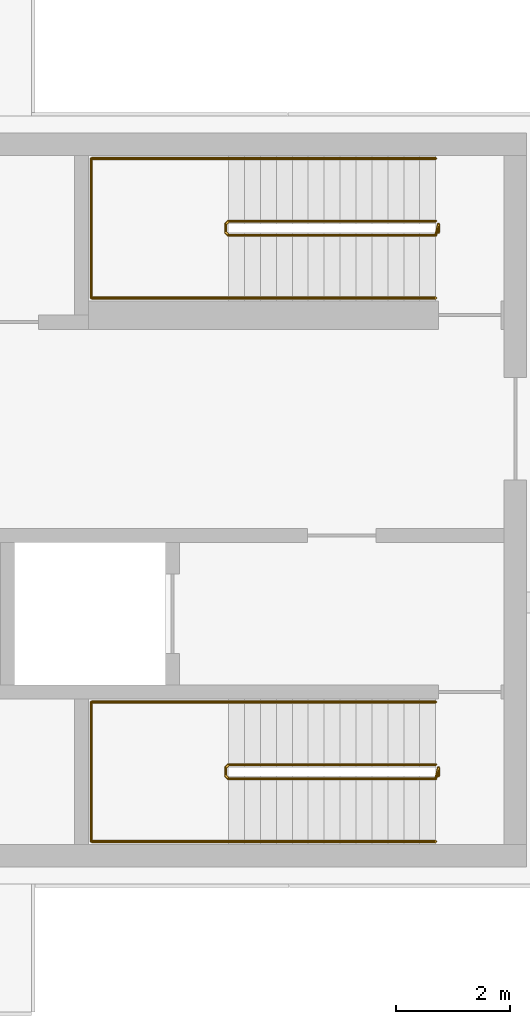
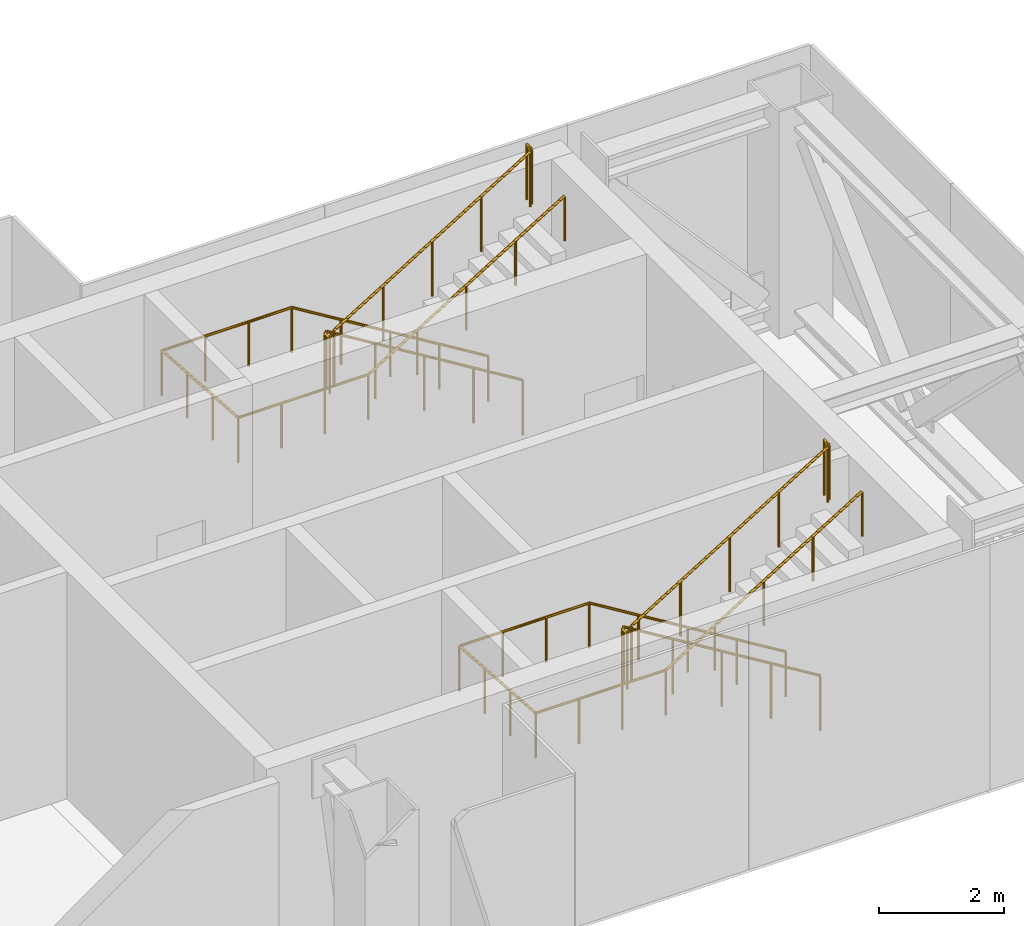
# One storey, part 18 of 18: 4 railings.
"""IFC4 building model written with IfcOpenShell, lengths in metres."""

from ifc_helpers import new_model, si_unit, direction, frame, origin, origin_2d, place, context, subcontext, project, spatial, circle, extrude, material, type_object, element, save


model = new_model("IFC4")

# Units and contexts
model_context = context("Model", 3, precision=1e-05, world=origin(), true_north=direction((0.0, 1.0)))
body_context = subcontext(model_context, "Body", "Model", "MODEL_VIEW")
ifc_project = project(units=[si_unit("LENGTHUNIT", "METRE"), si_unit("AREAUNIT", "SQUARE_METRE"), si_unit("VOLUMEUNIT", "CUBIC_METRE"), si_unit("PLANEANGLEUNIT", "RADIAN"), si_unit("MASSUNIT", "GRAM", prefix="KILO")], contexts=[model_context])

# Site, building, storey
site_placement = place(None, origin())
site = spatial("IfcSite", under=ifc_project, at=site_placement, CompositionType="ELEMENT")
building_placement = place(site_placement, origin())
building = spatial("IfcBuilding", under=site, at=building_placement, Name="Shamsa Quay Exchange Towers", CompositionType="ELEMENT")
storey_placement = place(building_placement, frame((0.0, 0.0, 225.60009765625)))
storey = spatial("IfcBuildingStorey", under=building, at=storey_placement, Name="L54", CompositionType="ELEMENT", Elevation=225.60009765625)

# Railings
ifc_material = material(Name="Stainless steel", Category="steel")
railing_type_1 = type_object("IfcRailingType", Name="STAIR GUARD 1100", PredefinedType="GUARDRAIL", material=ifc_material)
railing_1_placement = place(storey_placement, frame((52.10009765625, -4.64990234375, 0.17138671875)))
element("IfcRailing", 1, at=railing_1_placement, inside=storey, type_object=railing_type_1, Name="L54 ST5 stair guard 1", PredefinedType="GUARDRAIL", context=body_context, shape_type="SweptSolid", body=[
    extrude(circle(Radius=0.02392578125, at=origin_2d()), frame((0.0, 0.0, 1.076171875), z_axis=(-0.852865859571, 0.0, 0.52213008492), x_axis=(0.0, -1.0, 0.0)), (0.0, 0.0, 1.0), 4.26806640625),
    extrude(circle(Radius=0.02392578125, at=origin_2d()), frame((-3.64013671875, 0.0, 3.3046875), z_axis=(-0.707106781187, -0.707106781187, 0.0), x_axis=(0.707106781187, -0.707106781187, 0.0)), (0.0, 0.0, 1.0), 0.07080078125),
    extrude(circle(Radius=0.02392578125, at=origin_2d()), frame((-3.690185546875, -0.050048828125, 3.3046875), z_axis=(0.0, -1.0, 0.0), x_axis=(1.0, 0.0, 0.0)), (0.0, 0.0, 1.0), 0.150146484375),
    extrude(circle(Radius=0.02392578125, at=origin_2d()), frame((-3.690185546875, -0.2001953125, 3.3046875), z_axis=(0.270006937388, -0.268689830376, 0.924609122178), x_axis=(0.705375805398, 0.708833529934, 0.0)), (0.0, 0.0, 1.0), 0.185302734375),
    extrude(circle(Radius=0.02392578125, at=origin_2d()), frame((-3.64013671875, -0.25, 3.47607421875), z_axis=(0.852865859571, 0.0, 0.52213008492), x_axis=(0.0, 1.0, 0.0)), (0.0, 0.0, 1.0), 4.26806640625),
    extrude(circle(Radius=0.02392578125, at=origin_2d()), frame((0.0, -0.25, 5.70458984375), z_axis=(0.241699205484, 0.970351222016, 0.0), x_axis=(-0.970351222016, 0.241699205484, 0.0)), (0.0, 0.0, 1.0), 0.2060546875),
    extrude(circle(Radius=0.02392578125, at=origin_2d()), frame((0.0498046875, -0.050048828125, 5.70458984375), z_axis=(0.0, -1.0, 0.0), x_axis=(1.0, 0.0, 0.0)), (0.0, 0.0, 1.0), 0.150146484375),
    extrude(circle(Radius=0.02099609375, at=origin_2d()), origin(), (0.0, 0.0, 1.0), 1.052001953125),
    extrude(circle(Radius=0.02099609375, at=origin_2d()), frame((-0.91015625, 0.0, 0.55712890625)), (0.0, 0.0, 1.0), 1.052001953125),
    extrude(circle(Radius=0.02099609375, at=origin_2d()), frame((-1.820068359375, 0.0, 1.1142578125)), (0.0, 0.0, 1.0), 1.052001953125),
    extrude(circle(Radius=0.02099609375, at=origin_2d()), frame((-2.72998046875, 0.0, 1.67138671875)), (0.0, 0.0, 1.0), 1.052001953125),
    extrude(circle(Radius=0.02099609375, at=origin_2d()), frame((-3.64013671875, 0.0, 2.228515625)), (0.0, 0.0, 1.0), 1.052001953125),
    extrude(circle(Radius=0.02099609375, at=origin_2d()), frame((-3.690185546875, -0.050048828125, 2.228515625)), (0.0, 0.0, 1.0), 1.052001953125),
    extrude(circle(Radius=0.02099609375, at=origin_2d()), frame((-3.690185546875, -0.2001953125, 2.228515625)), (0.0, 0.0, 1.0), 1.052001953125),
    extrude(circle(Radius=0.02099609375, at=origin_2d()), frame((-3.64013671875, -0.25, 2.39990234375)), (0.0, 0.0, 1.0), 1.052001953125),
    extrude(circle(Radius=0.02099609375, at=origin_2d()), frame((-2.72998046875, -0.25, 2.95703125)), (0.0, 0.0, 1.0), 1.052001953125),
    extrude(circle(Radius=0.02099609375, at=origin_2d()), frame((-1.820068359375, -0.25, 3.51416015625)), (0.0, 0.0, 1.0), 1.052001953125),
    extrude(circle(Radius=0.02099609375, at=origin_2d()), frame((-0.91015625, -0.25, 4.0712890625)), (0.0, 0.0, 1.0), 1.052001953125),
    extrude(circle(Radius=0.02099609375, at=origin_2d()), frame((0.0, -0.25, 4.62841796875)), (0.0, 0.0, 1.0), 1.052001953125),
    extrude(circle(Radius=0.02099609375, at=origin_2d()), frame((0.0498046875, -0.050048828125, 4.62841796875)), (0.0, 0.0, 1.0), 1.052001953125),
    extrude(circle(Radius=0.02099609375, at=origin_2d()), frame((0.0498046875, -0.2001953125, 4.62841796875)), (0.0, 0.0, 1.0), 1.052001953125),
])
railing_2_placement = place(storey_placement, frame((52.10009765625, 4.89990234375, 0.17138671875)))
element("IfcRailing", 2, at=railing_2_placement, inside=storey, type_object=railing_type_1, Name="L54 ST6 stair guard 1", PredefinedType="GUARDRAIL", context=body_context, shape_type="SweptSolid", body=[
    extrude(circle(Radius=0.02392578125, at=origin_2d()), frame((0.0, 0.0, 1.076171875), z_axis=(-0.852865859571, 0.0, 0.52213008492), x_axis=(0.0, -1.0, 0.0)), (0.0, 0.0, 1.0), 4.26806640625),
    extrude(circle(Radius=0.02392578125, at=origin_2d()), frame((-3.64013671875, 0.0, 3.3046875), z_axis=(-0.708833529934, -0.705375805398, 0.0), x_axis=(0.705375805398, -0.708833529934, 0.0)), (0.0, 0.0, 1.0), 0.070556640625),
    extrude(circle(Radius=0.02392578125, at=origin_2d()), frame((-3.690185546875, -0.0498046875, 3.3046875), z_axis=(0.0, -1.0, 0.0), x_axis=(1.0, 0.0, 0.0)), (0.0, 0.0, 1.0), 0.150146484375),
    extrude(circle(Radius=0.02392578125, at=origin_2d()), frame((-3.690185546875, -0.199951171875, 3.3046875), z_axis=(0.269911200495, -0.269911200495, 0.924281281696), x_axis=(0.707106781187, 0.707106781187, 0.0)), (0.0, 0.0, 1.0), 0.185546875),
    extrude(circle(Radius=0.02392578125, at=origin_2d()), frame((-3.64013671875, -0.25, 3.47607421875), z_axis=(0.852865859571, 0.0, 0.52213008492), x_axis=(0.0, 1.0, 0.0)), (0.0, 0.0, 1.0), 4.26806640625),
    extrude(circle(Radius=0.02392578125, at=origin_2d()), frame((0.0, -0.25, 5.70458984375), z_axis=(0.24142163986, 0.970420317083, 0.0), x_axis=(-0.970420317083, 0.24142163986, 0.0)), (0.0, 0.0, 1.0), 0.206298828125),
    extrude(circle(Radius=0.02392578125, at=origin_2d()), frame((0.0498046875, -0.0498046875, 5.70458984375), z_axis=(0.0, -1.0, 0.0), x_axis=(1.0, 0.0, 0.0)), (0.0, 0.0, 1.0), 0.150146484375),
    extrude(circle(Radius=0.02099609375, at=origin_2d()), origin(), (0.0, 0.0, 1.0), 1.052001953125),
    extrude(circle(Radius=0.02099609375, at=origin_2d()), frame((-0.91015625, 0.0, 0.55712890625)), (0.0, 0.0, 1.0), 1.052001953125),
    extrude(circle(Radius=0.02099609375, at=origin_2d()), frame((-1.820068359375, 0.0, 1.1142578125)), (0.0, 0.0, 1.0), 1.052001953125),
    extrude(circle(Radius=0.02099609375, at=origin_2d()), frame((-2.72998046875, 0.0, 1.67138671875)), (0.0, 0.0, 1.0), 1.052001953125),
    extrude(circle(Radius=0.02099609375, at=origin_2d()), frame((-3.64013671875, 0.0, 2.228515625)), (0.0, 0.0, 1.0), 1.052001953125),
    extrude(circle(Radius=0.02099609375, at=origin_2d()), frame((-3.690185546875, -0.0498046875, 2.228515625)), (0.0, 0.0, 1.0), 1.052001953125),
    extrude(circle(Radius=0.02099609375, at=origin_2d()), frame((-3.690185546875, -0.199951171875, 2.228515625)), (0.0, 0.0, 1.0), 1.052001953125),
    extrude(circle(Radius=0.02099609375, at=origin_2d()), frame((-3.64013671875, -0.25, 2.39990234375)), (0.0, 0.0, 1.0), 1.052001953125),
    extrude(circle(Radius=0.02099609375, at=origin_2d()), frame((-2.72998046875, -0.25, 2.95703125)), (0.0, 0.0, 1.0), 1.052001953125),
    extrude(circle(Radius=0.02099609375, at=origin_2d()), frame((-1.820068359375, -0.25, 3.51416015625)), (0.0, 0.0, 1.0), 1.052001953125),
    extrude(circle(Radius=0.02099609375, at=origin_2d()), frame((-0.91015625, -0.25, 4.0712890625)), (0.0, 0.0, 1.0), 1.052001953125),
    extrude(circle(Radius=0.02099609375, at=origin_2d()), frame((0.0, -0.25, 4.62841796875)), (0.0, 0.0, 1.0), 1.052001953125),
    extrude(circle(Radius=0.02099609375, at=origin_2d()), frame((0.0498046875, -0.0498046875, 4.62841796875)), (0.0, 0.0, 1.0), 1.052001953125),
    extrude(circle(Radius=0.02099609375, at=origin_2d()), frame((0.0498046875, -0.199951171875, 4.62841796875)), (0.0, 0.0, 1.0), 1.052001953125),
])
railing_type_2 = type_object("IfcRailingType", Name="STAIR HANDRAIL 900", PredefinedType="HANDRAIL", material=ifc_material)
railing_3_placement = place(storey_placement, frame((52.10009765625, -3.550048828125, 0.17138671875)))
element("IfcRailing", 3, at=railing_3_placement, inside=storey, type_object=railing_type_2, Name="L54 ST5 stair handrail 1", PredefinedType="HANDRAIL", context=body_context, shape_type="SweptSolid", body=[
    extrude(circle(Radius=0.02392578125, at=origin_2d()), frame((0.0, 0.0, 0.8759765625), z_axis=(-0.852865859571, 0.0, 0.52213008492), x_axis=(0.0, -1.0, 0.0)), (0.0, 0.0, 1.0), 4.26806640625),
    extrude(circle(Radius=0.02392578125, at=origin_2d()), frame((-3.64013671875, 0.0, 3.1044921875), z_axis=(-1.0, 0.0, 0.0), x_axis=(0.0, -1.0, 0.0)), (0.0, 0.0, 1.0), 2.409912109375),
    extrude(circle(Radius=0.02392578125, at=origin_2d()), frame((-6.050048828125, 0.0, 3.1044921875), z_axis=(0.0, -0.99756208224, 0.069784612031), x_axis=(1.0, 0.0, 0.0)), (0.0, 0.0, 1.0), 2.4560546875),
    extrude(circle(Radius=0.02392578125, at=origin_2d()), frame((-6.050048828125, -2.449951171875, 3.27587890625), z_axis=(1.0, 0.0, 0.0), x_axis=(0.0, 1.0, 0.0)), (0.0, 0.0, 1.0), 2.409912109375),
    extrude(circle(Radius=0.02392578125, at=origin_2d()), frame((-3.64013671875, -2.449951171875, 3.27587890625), z_axis=(0.852865859571, 0.0, 0.52213008492), x_axis=(0.0, 1.0, 0.0)), (0.0, 0.0, 1.0), 4.26806640625),
    extrude(circle(Radius=0.02099609375, at=origin_2d()), origin(), (0.0, 0.0, 1.0), 0.851806640625),
    extrude(circle(Radius=0.02099609375, at=origin_2d()), frame((-0.91015625, 0.0, 0.55712890625)), (0.0, 0.0, 1.0), 0.851806640625),
    extrude(circle(Radius=0.02099609375, at=origin_2d()), frame((-1.820068359375, 0.0, 1.1142578125)), (0.0, 0.0, 1.0), 0.851806640625),
    extrude(circle(Radius=0.02099609375, at=origin_2d()), frame((-2.72998046875, 0.0, 1.67138671875)), (0.0, 0.0, 1.0), 0.851806640625),
    extrude(circle(Radius=0.02099609375, at=origin_2d()), frame((-3.64013671875, 0.0, 2.228515625)), (0.0, 0.0, 1.0), 0.851806640625),
    extrude(circle(Radius=0.02099609375, at=origin_2d()), frame((-4.443359375, 0.0, 2.228515625)), (0.0, 0.0, 1.0), 0.851806640625),
    extrude(circle(Radius=0.02099609375, at=origin_2d()), frame((-5.246826171875, 0.0, 2.228515625)), (0.0, 0.0, 1.0), 0.851806640625),
    extrude(circle(Radius=0.02099609375, at=origin_2d()), frame((-6.050048828125, 0.0, 2.228515625)), (0.0, 0.0, 1.0), 0.851806640625),
    extrude(circle(Radius=0.02099609375, at=origin_2d()), frame((-6.050048828125, -0.816650390625, 2.28564453125)), (0.0, 0.0, 1.0), 0.851806640625),
    extrude(circle(Radius=0.02099609375, at=origin_2d()), frame((-6.050048828125, -1.63330078125, 2.3427734375)), (0.0, 0.0, 1.0), 0.851806640625),
    extrude(circle(Radius=0.02099609375, at=origin_2d()), frame((-6.050048828125, -2.449951171875, 2.39990234375)), (0.0, 0.0, 1.0), 0.851806640625),
    extrude(circle(Radius=0.02099609375, at=origin_2d()), frame((-5.246826171875, -2.449951171875, 2.39990234375)), (0.0, 0.0, 1.0), 0.851806640625),
    extrude(circle(Radius=0.02099609375, at=origin_2d()), frame((-4.443359375, -2.449951171875, 2.39990234375)), (0.0, 0.0, 1.0), 0.851806640625),
    extrude(circle(Radius=0.02099609375, at=origin_2d()), frame((-3.64013671875, -2.449951171875, 2.39990234375)), (0.0, 0.0, 1.0), 0.851806640625),
    extrude(circle(Radius=0.02099609375, at=origin_2d()), frame((-2.72998046875, -2.449951171875, 2.95703125)), (0.0, 0.0, 1.0), 0.851806640625),
    extrude(circle(Radius=0.02099609375, at=origin_2d()), frame((-1.820068359375, -2.449951171875, 3.51416015625)), (0.0, 0.0, 1.0), 0.851806640625),
    extrude(circle(Radius=0.02099609375, at=origin_2d()), frame((-0.91015625, -2.449951171875, 4.0712890625)), (0.0, 0.0, 1.0), 0.851806640625),
    extrude(circle(Radius=0.02099609375, at=origin_2d()), frame((0.0, -2.449951171875, 4.62841796875)), (0.0, 0.0, 1.0), 0.851806640625),
])
railing_4_placement = place(storey_placement, frame((52.10009765625, 6.0, 0.17138671875)))
element("IfcRailing", 4, at=railing_4_placement, inside=storey, type_object=railing_type_2, Name="L54 ST6 stair handrail 1", PredefinedType="HANDRAIL", context=body_context, shape_type="SweptSolid", body=[
    extrude(circle(Radius=0.02392578125, at=origin_2d()), frame((0.0, 0.0, 0.8759765625), z_axis=(-0.852865859571, 0.0, 0.52213008492), x_axis=(0.0, -1.0, 0.0)), (0.0, 0.0, 1.0), 4.26806640625),
    extrude(circle(Radius=0.02392578125, at=origin_2d()), frame((-3.64013671875, 0.0, 3.1044921875), z_axis=(-1.0, 0.0, 0.0), x_axis=(0.0, -1.0, 0.0)), (0.0, 0.0, 1.0), 2.409912109375),
    extrude(circle(Radius=0.02392578125, at=origin_2d()), frame((-6.050048828125, 0.0, 3.1044921875), z_axis=(0.0, -0.99756208224, 0.069784612031), x_axis=(1.0, 0.0, 0.0)), (0.0, 0.0, 1.0), 2.4560546875),
    extrude(circle(Radius=0.02392578125, at=origin_2d()), frame((-6.050048828125, -2.449951171875, 3.27587890625), z_axis=(1.0, 0.0, 0.0), x_axis=(0.0, 1.0, 0.0)), (0.0, 0.0, 1.0), 2.409912109375),
    extrude(circle(Radius=0.02392578125, at=origin_2d()), frame((-3.64013671875, -2.449951171875, 3.27587890625), z_axis=(0.852865859571, 0.0, 0.52213008492), x_axis=(0.0, 1.0, 0.0)), (0.0, 0.0, 1.0), 4.26806640625),
    extrude(circle(Radius=0.02099609375, at=origin_2d()), origin(), (0.0, 0.0, 1.0), 0.851806640625),
    extrude(circle(Radius=0.02099609375, at=origin_2d()), frame((-0.91015625, 0.0, 0.55712890625)), (0.0, 0.0, 1.0), 0.851806640625),
    extrude(circle(Radius=0.02099609375, at=origin_2d()), frame((-1.820068359375, 0.0, 1.1142578125)), (0.0, 0.0, 1.0), 0.851806640625),
    extrude(circle(Radius=0.02099609375, at=origin_2d()), frame((-2.72998046875, 0.0, 1.67138671875)), (0.0, 0.0, 1.0), 0.851806640625),
    extrude(circle(Radius=0.02099609375, at=origin_2d()), frame((-3.64013671875, 0.0, 2.228515625)), (0.0, 0.0, 1.0), 0.851806640625),
    extrude(circle(Radius=0.02099609375, at=origin_2d()), frame((-4.443359375, 0.0, 2.228515625)), (0.0, 0.0, 1.0), 0.851806640625),
    extrude(circle(Radius=0.02099609375, at=origin_2d()), frame((-5.246826171875, 0.0, 2.228515625)), (0.0, 0.0, 1.0), 0.851806640625),
    extrude(circle(Radius=0.02099609375, at=origin_2d()), frame((-6.050048828125, 0.0, 2.228515625)), (0.0, 0.0, 1.0), 0.851806640625),
    extrude(circle(Radius=0.02099609375, at=origin_2d()), frame((-6.050048828125, -0.816650390625, 2.28564453125)), (0.0, 0.0, 1.0), 0.851806640625),
    extrude(circle(Radius=0.02099609375, at=origin_2d()), frame((-6.050048828125, -1.63330078125, 2.3427734375)), (0.0, 0.0, 1.0), 0.851806640625),
    extrude(circle(Radius=0.02099609375, at=origin_2d()), frame((-6.050048828125, -2.449951171875, 2.39990234375)), (0.0, 0.0, 1.0), 0.851806640625),
    extrude(circle(Radius=0.02099609375, at=origin_2d()), frame((-5.246826171875, -2.449951171875, 2.39990234375)), (0.0, 0.0, 1.0), 0.851806640625),
    extrude(circle(Radius=0.02099609375, at=origin_2d()), frame((-4.443359375, -2.449951171875, 2.39990234375)), (0.0, 0.0, 1.0), 0.851806640625),
    extrude(circle(Radius=0.02099609375, at=origin_2d()), frame((-3.64013671875, -2.449951171875, 2.39990234375)), (0.0, 0.0, 1.0), 0.851806640625),
    extrude(circle(Radius=0.02099609375, at=origin_2d()), frame((-2.72998046875, -2.449951171875, 2.95703125)), (0.0, 0.0, 1.0), 0.851806640625),
    extrude(circle(Radius=0.02099609375, at=origin_2d()), frame((-1.820068359375, -2.449951171875, 3.51416015625)), (0.0, 0.0, 1.0), 0.851806640625),
    extrude(circle(Radius=0.02099609375, at=origin_2d()), frame((-0.91015625, -2.449951171875, 4.0712890625)), (0.0, 0.0, 1.0), 0.851806640625),
    extrude(circle(Radius=0.02099609375, at=origin_2d()), frame((0.0, -2.449951171875, 4.62841796875)), (0.0, 0.0, 1.0), 0.851806640625),
])

save(model, "model.ifc")
